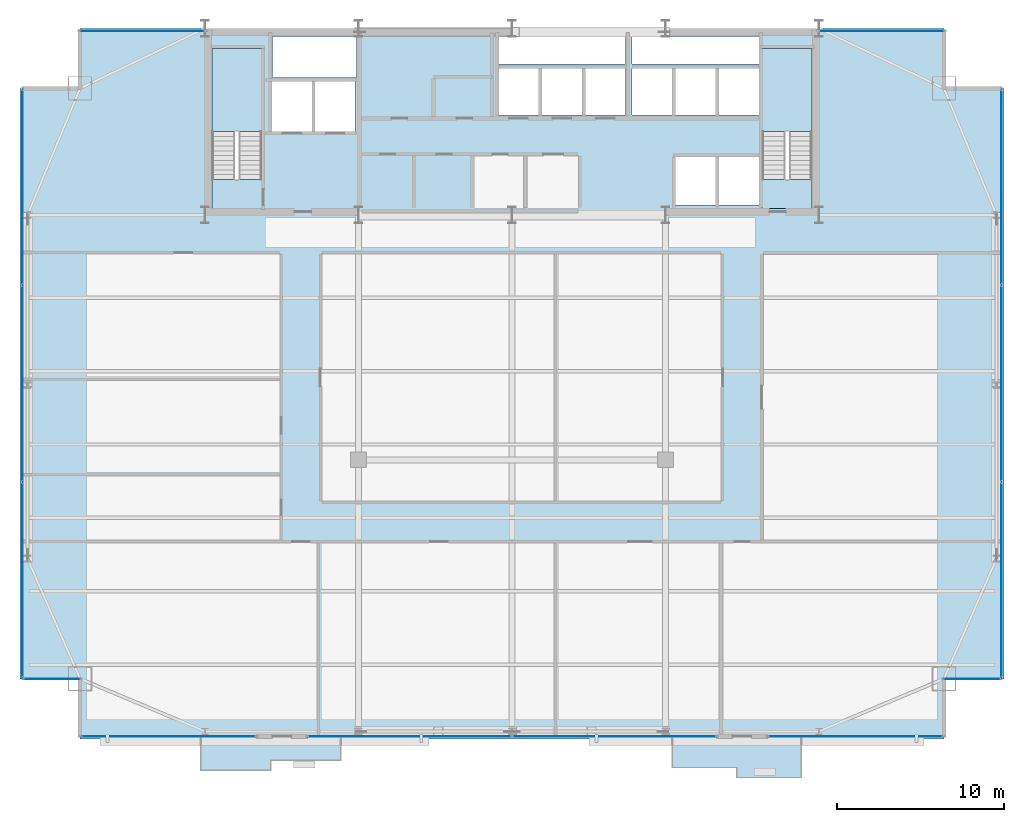
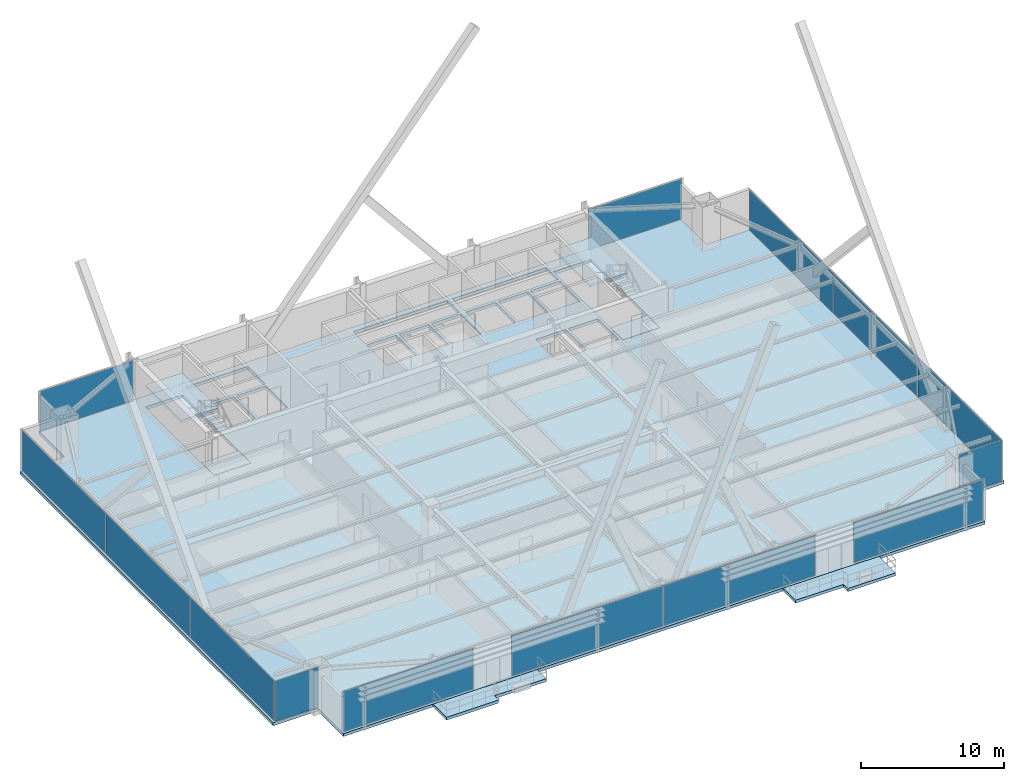
# One storey, part 29 of 38: 14 plates, 7 slabs, 11 elements without a shape of their own.
"""IFC4 building model written with IfcOpenShell, lengths in metres."""

from ifc_helpers import new_model, si_unit, direction, frame, origin, origin_2d, place, context, subcontext, project, spatial, polyline, rectangle, outline, extrude, source, transform, mapped, material, layer, layer_set, type_object, type_shapes, element, aggregate, save


model = new_model("IFC4")

# Units and contexts
model_context = context("Model", 3, precision=1e-05, world=origin(), true_north=direction((0.0, 1.0)))
body_context = subcontext(model_context, "Body", "Model", "MODEL_VIEW")
ifc_project = project(units=[si_unit("LENGTHUNIT", "METRE"), si_unit("AREAUNIT", "SQUARE_METRE"), si_unit("VOLUMEUNIT", "CUBIC_METRE"), si_unit("PLANEANGLEUNIT", "RADIAN"), si_unit("MASSUNIT", "GRAM", prefix="KILO")], contexts=[model_context])

# Site, building, storey
site_placement = place(None, origin())
site = spatial("IfcSite", under=ifc_project, at=site_placement, CompositionType="ELEMENT")
building_placement = place(site_placement, origin())
building = spatial("IfcBuilding", under=site, at=building_placement, Name="Varnel Quay Broadcast Tower", CompositionType="ELEMENT")
storey_placement = place(building_placement, frame((0.0, 0.0, 118.199951171875)))
storey = spatial("IfcBuildingStorey", under=building, at=storey_placement, Name="L28", CompositionType="ELEMENT", Elevation=118.199951171875)

# Slabs
ifc_material_1 = material(Name="Concrete CSA A23.3 C40/50", Category="concrete")
ifc_layer_1 = layer(ifc_material_1, 0.25, Name="Concrete CSA A23.3 C40/50")
ifc_layer_set_1 = layer_set([ifc_layer_1], Name="Concrete CSA A23.3 C40/50")
slab_type_1 = type_object("IfcSlabType", Name="Slab_ExtTerrace250", PredefinedType="FLOOR", material=ifc_layer_set_1)
slab_1_placement = place(storey_placement, frame((0.0, 0.0, -0.25)))
element("IfcSlab", 1, at=slab_1_placement, inside=storey, type_object=slab_type_1, Name="L28 Planted Lobe Terrace Slab 1", PredefinedType="FLOOR", context=body_context, shape_type="SweptSolid", body=[
    extrude(outline(polyline([(15.340087890625, 2.321044921875), (19.5400390625, 2.321044921875), (19.5400390625, 2.9208984375), (23.739990234375, 2.9208984375), (23.739990234375, 4.199951171875), (15.340087890625, 4.199951171875), (15.340087890625, 2.321044921875)])), origin(), (0.0, 0.0, 1.0), 0.25),
])
slab_2_placement = place(storey_placement, frame((0.0, 0.0, -0.25)))
element("IfcSlab", 2, at=slab_2_placement, inside=storey, type_object=slab_type_1, Name="L28 Planted Lobe Terrace Slab 2", PredefinedType="FLOOR", context=body_context, shape_type="SweptSolid", body=[
    extrude(outline(polyline([(43.60009765625, 2.47900390625), (47.469970703125, 2.47900390625), (47.469970703125, 1.87890625), (51.340087890625, 1.87890625), (51.340087890625, 4.199951171875), (43.60009765625, 4.199951171875), (43.60009765625, 2.47900390625)])), origin(), (0.0, 0.0, 1.0), 0.25),
])
ifc_material_2 = material(Name="Concrete CSA A23.3 C50/60", Category="concrete")
ifc_layer_2 = layer(ifc_material_2, 0.25, Name="Concrete CSA A23.3 C50/60")
ifc_layer_set_2 = layer_set([ifc_layer_2], Name="Concrete CSA A23.3 C50/60")
slab_type_2 = type_object("IfcSlabType", Name="Slab_Floor250", PredefinedType="FLOOR", material=ifc_layer_set_2)
slab_3_placement = place(storey_placement, frame((0.0, 0.0, -0.25)))
element("IfcSlab", 3, at=slab_3_placement, inside=storey, type_object=slab_type_2, Name="L28 Structural Slab", PredefinedType="FLOOR", context=body_context, shape_type="SweptSolid", body=[
    extrude(outline(polyline([(8.10009765625, 4.199951171875), (59.89990234375, 4.199951171875), (59.89990234375, 7.800048828125), (63.5, 7.800048828125), (63.5, 43.199951171875), (59.89990234375, 43.199951171875), (59.89990234375, 46.800048828125), (8.10009765625, 46.800048828125), (8.10009765625, 43.199951171875), (4.5, 43.199951171875), (4.5, 7.800048828125), (8.10009765625, 7.800048828125), (8.10009765625, 4.199951171875)]), holes=[polyline([(19.0, 36.0), (16.0, 36.0), (16.0, 45.60009765625), (19.0, 45.60009765625), (19.0, 36.0)]), polyline([(19.60009765625, 43.60009765625), (22.0, 43.60009765625), (22.0, 40.60009765625), (19.60009765625, 40.60009765625), (19.60009765625, 43.60009765625)]), polyline([(22.199951171875, 43.60009765625), (24.60009765625, 43.60009765625), (24.60009765625, 40.60009765625), (22.199951171875, 40.60009765625), (22.199951171875, 43.60009765625)]), polyline([(33.199951171875, 44.39990234375), (35.60009765625, 44.39990234375), (35.60009765625, 41.60009765625), (33.199951171875, 41.60009765625), (33.199951171875, 44.39990234375)]), polyline([(35.800048828125, 44.39990234375), (38.199951171875, 44.39990234375), (38.199951171875, 41.60009765625), (35.800048828125, 41.60009765625), (35.800048828125, 44.39990234375)]), polyline([(38.39990234375, 44.39990234375), (40.800048828125, 44.39990234375), (40.800048828125, 41.60009765625), (38.39990234375, 41.60009765625), (38.39990234375, 44.39990234375)]), polyline([(19.64990234375, 46.300048828125), (24.679931640625, 46.300048828125), (24.679931640625, 43.85009765625), (19.64990234375, 43.85009765625), (19.64990234375, 46.300048828125)]), polyline([(33.199951171875, 46.300048828125), (40.800048828125, 46.300048828125), (40.800048828125, 44.64990234375), (33.199951171875, 44.64990234375), (33.199951171875, 46.300048828125)]), polyline([(43.800048828125, 39.10009765625), (46.199951171875, 39.10009765625), (46.199951171875, 36.199951171875), (43.800048828125, 36.199951171875), (43.800048828125, 39.10009765625)]), polyline([(46.39990234375, 39.10009765625), (48.800048828125, 39.10009765625), (48.800048828125, 36.199951171875), (46.39990234375, 36.199951171875), (46.39990234375, 39.10009765625)]), polyline([(49.0, 36.0), (49.0, 45.60009765625), (52.0, 45.60009765625), (52.0, 36.0), (49.0, 36.0)]), polyline([(41.199951171875, 44.39990234375), (43.60009765625, 44.39990234375), (43.60009765625, 41.60009765625), (41.199951171875, 41.60009765625), (41.199951171875, 44.39990234375)]), polyline([(43.800048828125, 44.39990234375), (46.199951171875, 44.39990234375), (46.199951171875, 41.60009765625), (43.800048828125, 41.60009765625), (43.800048828125, 44.39990234375)]), polyline([(46.39990234375, 44.39990234375), (48.800048828125, 44.39990234375), (48.800048828125, 41.60009765625), (46.39990234375, 41.60009765625), (46.39990234375, 44.39990234375)]), polyline([(41.199951171875, 46.300048828125), (48.800048828125, 46.300048828125), (48.800048828125, 44.64990234375), (41.199951171875, 44.64990234375), (41.199951171875, 46.300048828125)])]), origin(), (0.0, 0.0, 1.0), 0.25),
])
ifc_layer_3 = layer(ifc_material_2, 0.25, Name="Concrete CSA A23.3 C50/60")
ifc_layer_set_3 = layer_set([ifc_layer_3], Name="Concrete CSA A23.3 C50/60")
slab_type_3 = type_object("IfcSlabType", Name="Slab_StairFloorLanding250", PredefinedType="FLOOR", material=ifc_layer_set_3)
slab_4_placement = place(storey_placement, frame((0.0, 0.0, -0.25)))
element("IfcSlab", 4, at=slab_4_placement, inside=storey, type_object=slab_type_3, Name="L28 ST-01 Structural Floor Landing Slab", PredefinedType="FLOOR", context=body_context, shape_type="SweptSolid", body=[
    extrude(outline(polyline([(19.0, 36.0), (19.0, 37.75), (16.0, 37.75), (16.0, 36.0), (19.0, 36.0)])), origin(), (0.0, 0.0, 1.0), 0.25),
])
slab_5_placement = place(storey_placement, frame((0.0, 0.0, -0.25)))
element("IfcSlab", 5, at=slab_5_placement, inside=storey, type_object=slab_type_3, Name="L28 ST-02 Structural Floor Landing Slab", PredefinedType="FLOOR", context=body_context, shape_type="SweptSolid", body=[
    extrude(outline(polyline([(52.0, 36.0), (52.0, 37.75), (49.0, 37.75), (49.0, 36.0), (52.0, 36.0)])), origin(), (0.0, 0.0, 1.0), 0.25),
])

# Stair, slab
ifc_material_3 = material(Name="Precast Structural Concrete C40/50", Category="concrete")
stair_type_1 = type_object("IfcStairType", Name="Stair_ST-01", PredefinedType="HALF_TURN_STAIR", material=ifc_material_3)
stair_1_placement = place(storey_placement, origin())
stair_1 = element("IfcStair", 6, at=stair_1_placement, inside=storey, type_object=stair_type_1, Name="L28 West Core Exit Stair 1", PredefinedType="HALF_TURN_STAIR")
ifc_layer_4 = layer(ifc_material_3, 0.199951171875, Name="Precast Structural Concrete C40/50")
ifc_layer_set_4 = layer_set([ifc_layer_4], Name="Precast Structural Concrete C40/50")
slab_type_4 = type_object("IfcSlabType", Name="Slab_StairLanding200", PredefinedType="LANDING", material=ifc_layer_set_4)
slab_6_placement = place(storey_placement, frame((0.0, 0.0, 1.699951171875)))
slab_6 = element("IfcSlab", 7, at=slab_6_placement, type_object=slab_type_4, Name="ST-01 landing 1", PredefinedType="LANDING", context=body_context, shape_type="SweptSolid", body=[
    extrude(outline(polyline([(19.0, 40.60009765625), (19.0, 45.60009765625), (16.0, 45.60009765625), (16.0, 40.60009765625), (19.0, 40.60009765625)])), origin(), (0.0, 0.0, 1.0), 0.2001953125),
])
aggregate(stair_1, [slab_6])

stair_type_2 = type_object("IfcStairType", Name="Stair_ST-02", PredefinedType="HALF_TURN_STAIR", material=ifc_material_3)
stair_2_placement = place(storey_placement, origin())
stair_2 = element("IfcStair", 8, at=stair_2_placement, inside=storey, type_object=stair_type_2, Name="L28 East Core Exit Stair 2", PredefinedType="HALF_TURN_STAIR")
slab_7_placement = place(storey_placement, frame((0.0, 0.0, 1.699951171875)))
slab_7 = element("IfcSlab", 9, at=slab_7_placement, type_object=slab_type_4, Name="ST-02 landing 1", PredefinedType="LANDING", context=body_context, shape_type="SweptSolid", body=[
    extrude(outline(polyline([(52.0, 40.60009765625), (52.0, 45.60009765625), (49.0, 45.60009765625), (49.0, 40.60009765625), (52.0, 40.60009765625)])), origin(), (0.0, 0.0, 1.0), 0.2001953125),
])
aggregate(stair_2, [slab_7])

# Curtain wall, plates
ifc_material_4 = material(Name="Anodised Bronze Aluminium 6063-T6", Category="aluminium")
ifc_layer_5 = layer(ifc_material_4, 0.18994140625, Name="Anodised Bronze Aluminium 6063-T6")
ifc_layer_set_5 = layer_set([ifc_layer_5], Name="Anodised Bronze Aluminium 6063-T6")
curtain_wall_type_1 = type_object("IfcCurtainWallType", Name="CW_LowerTower", PredefinedType="NOTDEFINED", material=ifc_layer_set_5)
curtain_wall_1_placement = place(storey_placement, origin())
curtain_wall_1 = element("IfcCurtainWall", 10, at=curtain_wall_1_placement, inside=storey, type_object=curtain_wall_type_1, Name="L28 West Unitised Curtain Wall", PredefinedType="NOTDEFINED")
ifc_material_5 = material(Name="Insulated Bronze Spandrel Glass", Category="glass")
ifc_layer_6 = layer(ifc_material_5, 0.031982421875, Name="Insulated Bronze Spandrel Glass")
ifc_layer_set_6 = layer_set([ifc_layer_6], Name="Insulated Bronze Spandrel Glass")
plate_type_1 = type_object("IfcPlateType", Name="PanelSp_CWS-02", PredefinedType="CURTAIN_PANEL", material=ifc_layer_set_6)
shared_shape_1 = source(origin(), body_context, "Body", "SweptSolid", [
    extrude(rectangle(XDim=11.695068359375, YDim=0.031982421875, at=origin_2d()), origin(), (0.0, 0.0, 1.0), 3.429931640625),
])
plate_1_placement = place(storey_placement, frame((4.64990234375, 13.717529296875, 0.06005859375), z_axis=(0.0, 0.0, 1.0), x_axis=(0.0, 1.0, 0.0)))
plate_1 = element("IfcPlate", 11, at=plate_1_placement, type_object=plate_type_1, Name="CWS-02 panel 1.1", PredefinedType="CURTAIN_PANEL", context=body_context, shape_type="MappedRepresentation", body=[
    mapped(shared_shape_1, transform((0.0, 0.0, 0.0), x_axis=(1.0, 0.0, 0.0), y_axis=(0.0, 1.0, 0.0), z_axis=(0.0, 0.0, 1.0), scale=1.0)),
])
plate_2_placement = place(storey_placement, frame((4.64990234375, 37.282470703125, 0.06005859375), z_axis=(0.0, 0.0, 1.0), x_axis=(0.0, 1.0, 0.0)))
plate_2 = element("IfcPlate", 12, at=plate_2_placement, type_object=plate_type_1, Name="CWS-02 panel 3.1", PredefinedType="CURTAIN_PANEL", context=body_context, shape_type="MappedRepresentation", body=[
    mapped(shared_shape_1, transform((0.0, 0.0, 0.0), x_axis=(1.0, 0.0, 0.0), y_axis=(0.0, 1.0, 0.0), z_axis=(0.0, 0.0, 1.0), scale=1.0)),
])

curtain_wall_2_placement = place(storey_placement, origin())
curtain_wall_2 = element("IfcCurtainWall", 13, at=curtain_wall_2_placement, inside=storey, type_object=curtain_wall_type_1, Name="L28 East Unitised Curtain Wall", PredefinedType="NOTDEFINED")
plate_3_placement = place(storey_placement, frame((63.35009765625, 13.717529296875, 0.06005859375), z_axis=(0.0, 0.0, 1.0), x_axis=(0.0, 1.0, 0.0)))
plate_3 = element("IfcPlate", 14, at=plate_3_placement, type_object=plate_type_1, Name="CWS-02 panel 1.1", PredefinedType="CURTAIN_PANEL", context=body_context, shape_type="MappedRepresentation", body=[
    mapped(shared_shape_1, transform((0.0, 0.0, 0.0), x_axis=(1.0, 0.0, 0.0), y_axis=(0.0, 1.0, 0.0), z_axis=(0.0, 0.0, 1.0), scale=1.0)),
])
plate_4_placement = place(storey_placement, frame((63.35009765625, 37.282470703125, 0.06005859375), z_axis=(0.0, 0.0, 1.0), x_axis=(0.0, 1.0, 0.0)))
plate_4 = element("IfcPlate", 15, at=plate_4_placement, type_object=plate_type_1, Name="CWS-02 panel 3.1", PredefinedType="CURTAIN_PANEL", context=body_context, shape_type="MappedRepresentation", body=[
    mapped(shared_shape_1, transform((0.0, 0.0, 0.0), x_axis=(1.0, 0.0, 0.0), y_axis=(0.0, 1.0, 0.0), z_axis=(0.0, 0.0, 1.0), scale=1.0)),
])

# Curtain wall, plate
ifc_layer_7 = layer(ifc_material_4, 0.18994140625, Name="Anodised Bronze Aluminium 6063-T6")
ifc_layer_set_7 = layer_set([ifc_layer_7], Name="Anodised Bronze Aluminium 6063-T6")
curtain_wall_type_2 = type_object("IfcCurtainWallType", Name="CW_NotchCorner", PredefinedType="NOTDEFINED", material=ifc_layer_set_7)
curtain_wall_3_placement = place(storey_placement, origin())
curtain_wall_3 = element("IfcCurtainWall", 16, at=curtain_wall_3_placement, inside=storey, type_object=curtain_wall_type_2, Name="L28 SW Notch Curtain Wall", PredefinedType="NOTDEFINED")
ifc_material_6 = material(Name="Triple-Glazed Bronze Low-E Architectural Glass", Category="glass")
ifc_layer_8 = layer(ifc_material_6, 0.028076171875, Name="Triple-Glazed Bronze Low-E Architectural Glass")
ifc_layer_set_8 = layer_set([ifc_layer_8], Name="Triple-Glazed Bronze Low-E Architectural Glass")
plate_type_2 = type_object("IfcPlateType", Name="Panel_CWS-04", PredefinedType="CURTAIN_PANEL", material=ifc_layer_set_8)
shared_shape_2 = source(origin(), body_context, "Body", "SweptSolid", [
    extrude(rectangle(XDim=3.409912109375, YDim=0.028076171875, at=origin_2d()), origin(), (0.0, 0.0, 1.0), 3.43994140625),
])
type_shapes(plate_type_2, [shared_shape_2])
plate_5_placement = place(storey_placement, frame((6.4150390625, 7.800048828125, 0.05517578125), z_axis=(0.0, 0.0, 1.0), x_axis=(1.0, 0.0, 0.0)))
plate_5 = element("IfcPlate", 17, at=plate_5_placement, type_object=plate_type_2, Name="CWS-04 panel 1.1", PredefinedType="CURTAIN_PANEL", context=body_context, shape_type="MappedRepresentation", body=[
    mapped(shared_shape_2, transform((0.0, 0.0, 0.0), x_axis=(1.0, 0.0, 0.0), y_axis=(0.0, 1.0, 0.0), z_axis=(0.0, 0.0, 1.0), scale=1.0)),
])
aggregate(curtain_wall_3, [plate_5])

curtain_wall_4_placement = place(storey_placement, origin())
curtain_wall_4 = element("IfcCurtainWall", 18, at=curtain_wall_4_placement, inside=storey, type_object=curtain_wall_type_2, Name="L28 SE Notch Curtain Wall", PredefinedType="NOTDEFINED")
plate_6_placement = place(storey_placement, frame((61.5849609375, 7.800048828125, 0.05517578125), z_axis=(0.0, 0.0, 1.0), x_axis=(1.0, 0.0, 0.0)))
plate_6 = element("IfcPlate", 19, at=plate_6_placement, type_object=plate_type_2, Name="CWS-04 panel 1.1", PredefinedType="CURTAIN_PANEL", context=body_context, shape_type="MappedRepresentation", body=[
    mapped(shared_shape_2, transform((0.0, 0.0, 0.0), x_axis=(1.0, 0.0, 0.0), y_axis=(0.0, 1.0, 0.0), z_axis=(0.0, 0.0, 1.0), scale=1.0)),
])
aggregate(curtain_wall_4, [plate_6])

curtain_wall_5_placement = place(storey_placement, origin())
curtain_wall_5 = element("IfcCurtainWall", 20, at=curtain_wall_5_placement, inside=storey, type_object=curtain_wall_type_1, Name="L28 NW Wing Curtain Wall", PredefinedType="NOTDEFINED")
ifc_layer_9 = layer(ifc_material_6, 0.031982421875, Name="Triple-Glazed Bronze Low-E Architectural Glass")
ifc_layer_set_9 = layer_set([ifc_layer_9], Name="Triple-Glazed Bronze Low-E Architectural Glass")
plate_type_3 = type_object("IfcPlateType", Name="Panel_CWS-02", PredefinedType="CURTAIN_PANEL", material=ifc_layer_set_9)
shared_shape_3 = source(origin(), body_context, "Body", "SweptSolid", [
    extrude(rectangle(XDim=7.5400390625, YDim=0.031982421875, at=origin_2d()), origin(), (0.0, 0.0, 1.0), 3.429931640625),
])
plate_7_placement = place(storey_placement, frame((11.860107421875, 46.64990234375, 0.06005859375), z_axis=(0.0, 0.0, 1.0), x_axis=(1.0, 0.0, 0.0)))
plate_7 = element("IfcPlate", 21, at=plate_7_placement, type_object=plate_type_3, Name="CWS-02 panel 1.1", PredefinedType="CURTAIN_PANEL", context=body_context, shape_type="MappedRepresentation", body=[
    mapped(shared_shape_3, transform((0.0, 0.0, 0.0), x_axis=(1.0, 0.0, 0.0), y_axis=(0.0, 1.0, 0.0), z_axis=(0.0, 0.0, 1.0), scale=1.0)),
])
aggregate(curtain_wall_5, [plate_7])

curtain_wall_6_placement = place(storey_placement, origin())
curtain_wall_6 = element("IfcCurtainWall", 22, at=curtain_wall_6_placement, inside=storey, type_object=curtain_wall_type_1, Name="L28 NE Wing Curtain Wall", PredefinedType="NOTDEFINED")
plate_8_placement = place(storey_placement, frame((56.139892578125, 46.64990234375, 0.06005859375), z_axis=(0.0, 0.0, 1.0), x_axis=(1.0, 0.0, 0.0)))
plate_8 = element("IfcPlate", 23, at=plate_8_placement, type_object=plate_type_3, Name="CWS-02 panel 1.1", PredefinedType="CURTAIN_PANEL", context=body_context, shape_type="MappedRepresentation", body=[
    mapped(shared_shape_3, transform((0.0, 0.0, 0.0), x_axis=(1.0, 0.0, 0.0), y_axis=(0.0, 1.0, 0.0), z_axis=(0.0, 0.0, 1.0), scale=1.0)),
])
aggregate(curtain_wall_6, [plate_8])

curtain_wall_7_placement = place(storey_placement, origin())
curtain_wall_7 = element("IfcCurtainWall", 24, at=curtain_wall_7_placement, inside=storey, type_object=curtain_wall_type_1, Name="L28 South Unitised Curtain Wall 1", PredefinedType="NOTDEFINED")
shared_shape_4 = source(origin(), body_context, "Body", "SweptSolid", [
    extrude(rectangle(XDim=10.47998046875, YDim=0.031982421875, at=origin_2d()), origin(), (0.0, 0.0, 1.0), 3.429931640625),
])
plate_9_placement = place(storey_placement, frame((13.409912109375, 4.35009765625, 0.06005859375), z_axis=(0.0, 0.0, 1.0), x_axis=(1.0, 0.0, 0.0)))
plate_9 = element("IfcPlate", 25, at=plate_9_placement, type_object=plate_type_3, Name="CWS-02 panel 1.1", PredefinedType="CURTAIN_PANEL", context=body_context, shape_type="MappedRepresentation", body=[
    mapped(shared_shape_4, transform((0.0, 0.0, 0.0), x_axis=(1.0, 0.0, 0.0), y_axis=(0.0, 1.0, 0.0), z_axis=(0.0, 0.0, 1.0), scale=1.0)),
])
aggregate(curtain_wall_7, [plate_9])

curtain_wall_8_placement = place(storey_placement, origin())
curtain_wall_8 = element("IfcCurtainWall", 26, at=curtain_wall_8_placement, inside=storey, type_object=curtain_wall_type_1, Name="L28 South Unitised Curtain Wall 3", PredefinedType="NOTDEFINED")
plate_10_placement = place(storey_placement, frame((54.590087890625, 4.35009765625, 0.06005859375), z_axis=(0.0, 0.0, 1.0), x_axis=(1.0, 0.0, 0.0)))
plate_10 = element("IfcPlate", 27, at=plate_10_placement, type_object=plate_type_3, Name="CWS-02 panel 1.1", PredefinedType="CURTAIN_PANEL", context=body_context, shape_type="MappedRepresentation", body=[
    mapped(shared_shape_4, transform((0.0, 0.0, 0.0), x_axis=(1.0, 0.0, 0.0), y_axis=(0.0, 1.0, 0.0), z_axis=(0.0, 0.0, 1.0), scale=1.0)),
])
aggregate(curtain_wall_8, [plate_10])

# Curtain wall, plates
curtain_wall_9_placement = place(storey_placement, origin())
curtain_wall_9 = element("IfcCurtainWall", 28, at=curtain_wall_9_placement, inside=storey, type_object=curtain_wall_type_1, Name="L28 South Unitised Curtain Wall 2", PredefinedType="NOTDEFINED")
shared_shape_5 = source(origin(), body_context, "Body", "SweptSolid", [
    extrude(rectangle(XDim=12.215087890625, YDim=0.031982421875, at=origin_2d()), origin(), (0.0, 0.0, 1.0), 3.429931640625),
])
type_shapes(plate_type_1, [shared_shape_1, shared_shape_5])
plate_11_placement = place(storey_placement, frame((27.857421875, 4.35009765625, 0.06005859375), z_axis=(0.0, 0.0, 1.0), x_axis=(1.0, 0.0, 0.0)))
plate_11 = element("IfcPlate", 29, at=plate_11_placement, type_object=plate_type_1, Name="CWS-02 panel 1.1", PredefinedType="CURTAIN_PANEL", context=body_context, shape_type="MappedRepresentation", body=[
    mapped(shared_shape_5, transform((0.0, 0.0, 0.0), x_axis=(1.0, 0.0, 0.0), y_axis=(0.0, 1.0, 0.0), z_axis=(0.0, 0.0, 1.0), scale=1.0)),
])
plate_12_placement = place(storey_placement, frame((40.142578125, 4.35009765625, 0.06005859375), z_axis=(0.0, 0.0, 1.0), x_axis=(1.0, 0.0, 0.0)))
plate_12 = element("IfcPlate", 30, at=plate_12_placement, type_object=plate_type_1, Name="CWS-02 panel 2.1", PredefinedType="CURTAIN_PANEL", context=body_context, shape_type="MappedRepresentation", body=[
    mapped(shared_shape_5, transform((0.0, 0.0, 0.0), x_axis=(1.0, 0.0, 0.0), y_axis=(0.0, 1.0, 0.0), z_axis=(0.0, 0.0, 1.0), scale=1.0)),
])
aggregate(curtain_wall_9, [plate_11, plate_12])

# Plate
shared_shape_6 = source(origin(), body_context, "Body", "SweptSolid", [
    extrude(rectangle(XDim=11.72998046875, YDim=0.031982421875, at=origin_2d()), origin(), (0.0, 0.0, 1.0), 3.429931640625),
])
type_shapes(plate_type_3, [shared_shape_3, shared_shape_4, shared_shape_6])
plate_13_placement = place(storey_placement, frame((4.64990234375, 25.5, 0.06005859375), z_axis=(0.0, 0.0, 1.0), x_axis=(0.0, 1.0, 0.0)))
plate_13 = element("IfcPlate", 31, at=plate_13_placement, type_object=plate_type_3, Name="CWS-02 panel 2.1", PredefinedType="CURTAIN_PANEL", context=body_context, shape_type="MappedRepresentation", body=[
    mapped(shared_shape_6, transform((0.0, 0.0, 0.0), x_axis=(1.0, 0.0, 0.0), y_axis=(0.0, 1.0, 0.0), z_axis=(0.0, 0.0, 1.0), scale=1.0)),
])

aggregate(curtain_wall_1, [plate_1, plate_13, plate_2])

plate_14_placement = place(storey_placement, frame((63.35009765625, 25.5, 0.06005859375), z_axis=(0.0, 0.0, 1.0), x_axis=(0.0, 1.0, 0.0)))
plate_14 = element("IfcPlate", 32, at=plate_14_placement, type_object=plate_type_3, Name="CWS-02 panel 2.1", PredefinedType="CURTAIN_PANEL", context=body_context, shape_type="MappedRepresentation", body=[
    mapped(shared_shape_6, transform((0.0, 0.0, 0.0), x_axis=(1.0, 0.0, 0.0), y_axis=(0.0, 1.0, 0.0), z_axis=(0.0, 0.0, 1.0), scale=1.0)),
])

aggregate(curtain_wall_2, [plate_3, plate_14, plate_4])

save(model, "model.ifc")
